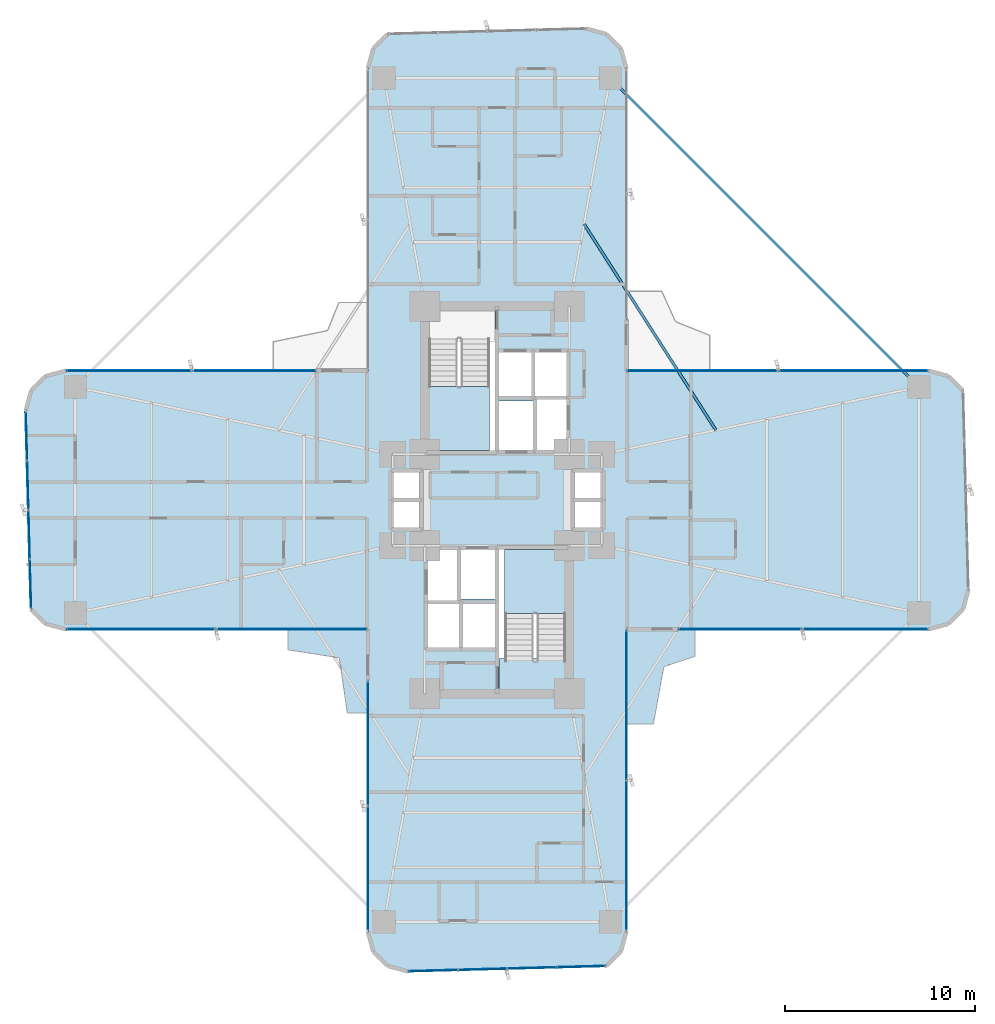
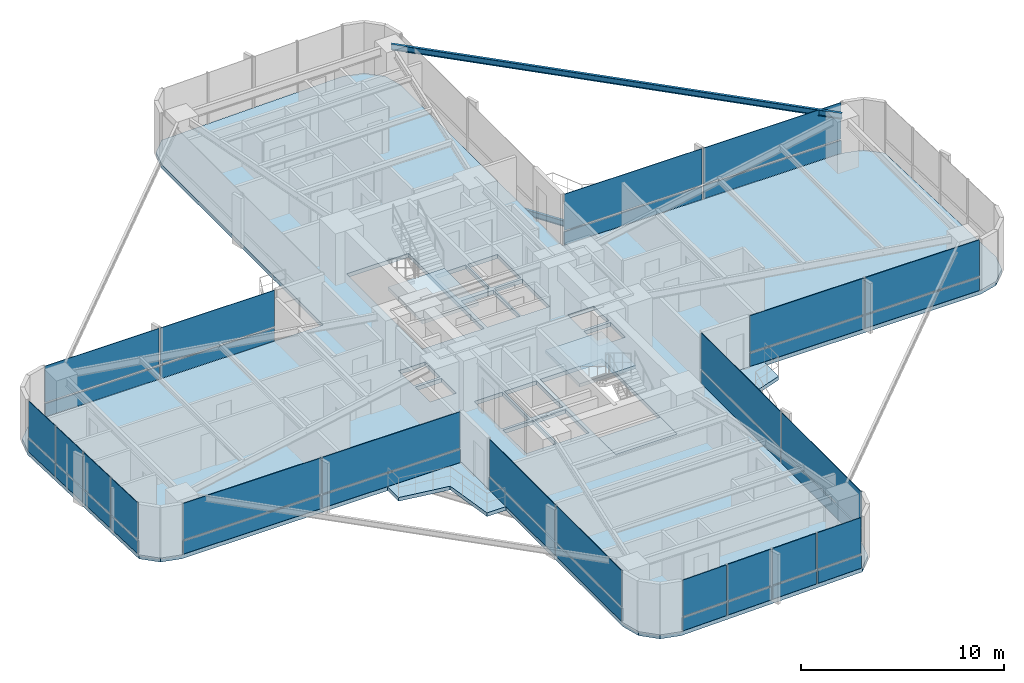
# One storey, part 20 of 25: 40 plates, 6 slabs, 2 beams, 10 elements without a shape of their own.
"""IFC4 building model written with IfcOpenShell, lengths in metres."""

from ifc_helpers import new_model, si_unit, direction, frame, origin, origin_2d, place, context, subcontext, project, spatial, polyline, rectangle, i_section, outline, extrude, source, transform, mapped, material, layer, layer_set, material_profile, profile_set, type_object, element, aggregate, save


model = new_model("IFC4")

# Units and contexts
model_context = context("Model", 3, precision=1e-05, world=origin(), true_north=direction((0.0, 1.0)))
body_context = subcontext(model_context, "Body", "Model", "MODEL_VIEW")
ifc_project = project(units=[si_unit("LENGTHUNIT", "METRE"), si_unit("AREAUNIT", "SQUARE_METRE"), si_unit("VOLUMEUNIT", "CUBIC_METRE"), si_unit("PLANEANGLEUNIT", "RADIAN"), si_unit("MASSUNIT", "GRAM", prefix="KILO")], contexts=[model_context])

# Site, building, storey
site_placement = place(None, origin())
site = spatial("IfcSite", under=ifc_project, at=site_placement, CompositionType="ELEMENT")
building_placement = place(site_placement, origin())
building = spatial("IfcBuilding", under=site, at=building_placement, Name="Sahyath Konkavel Grand Hotel", CompositionType="ELEMENT")
storey_placement = place(building_placement, frame((0.0, 0.0, 54.39990234375)))
storey = spatial("IfcBuildingStorey", under=building, at=storey_placement, Name="L14", CompositionType="ELEMENT", Elevation=54.39990234375)

# Beams
ifc_material_1 = material(Name="Steel E350", Category="steel")
ifc_material_profile_1 = material_profile(ifc_material_1, i_section(OverallWidth=0.139892578125, OverallDepth=0.35009765625, WebThickness=0.008056640625, FlangeThickness=0.01416015625, FilletRadius=0.013916015625, at=origin_2d()), Name="ISMB 350")
ifc_profile_set_1 = profile_set([ifc_material_profile_1], Name="Steel E350")
beam_type_1 = type_object("IfcBeamType", Name="BM-ISMB350", PredefinedType="BEAM", material=ifc_profile_set_1)
shared_shape_1 = source(origin(), body_context, "Body", "SweptSolid", [
    extrude(i_section(OverallWidth=0.139892578125, OverallDepth=0.35009765625, WebThickness=0.008056640625, FlangeThickness=0.01416015625, FilletRadius=0.013916015625, at=origin_2d()), origin(), (0.0, 0.0, 1.0), 22.98095703125),
])
beam_1_placement = place(storey_placement, frame((22.199951171875, 5.949951171875, 2.93505859375), z_axis=(-0.707106781187, 0.707106781187, 0.0), x_axis=(-0.707106781187, -0.707106781187, 0.0)))
element("IfcBeam", 1, at=beam_1_placement, inside=storey, type_object=beam_type_1, Name="L14 Re-Entrant Tie Beam NE", PredefinedType="BEAM", context=body_context, shape_type="MappedRepresentation", body=[
    mapped(shared_shape_1, transform((0.0, 0.0, 0.0), scale=1.0)),
])
ifc_material_profile_2 = material_profile(ifc_material_1, i_section(OverallWidth=0.139892578125, OverallDepth=0.35009765625, WebThickness=0.008056640625, FlangeThickness=0.01416015625, FilletRadius=0.013916015625, at=origin_2d()), Name="ISMB 350")
ifc_profile_set_2 = profile_set([ifc_material_profile_2], Name="Steel E350")
beam_type_2 = type_object("IfcBeamType", Name="BM-BALC-CANT", PredefinedType="BEAM", material=ifc_profile_set_2)
shared_shape_2 = source(origin(), body_context, "Body", "SweptSolid", [
    extrude(i_section(OverallWidth=0.139892578125, OverallDepth=0.35009765625, WebThickness=0.008056640625, FlangeThickness=0.01416015625, FilletRadius=0.013916015625, at=origin_2d()), origin(), (0.0, 0.0, 1.0), 12.871826171875),
])
beam_2_placement = place(storey_placement, frame((11.511962890625, 3.677978515625, -0.414794921875), z_axis=(-0.539003102535, 0.842303778608, 0.0), x_axis=(-0.842303778608, -0.539003102535, 0.0)))
element("IfcBeam", 2, at=beam_2_placement, inside=storey, type_object=beam_type_2, Name="L14 Balcony Cantilever Support Beam NE", PredefinedType="BEAM", context=body_context, shape_type="MappedRepresentation", body=[
    mapped(shared_shape_2, transform((0.0, 0.0, 0.0), scale=1.0)),
])

# Slabs
ifc_material_2 = material(Name="Concrete C40/50", Category="concrete")
ifc_layer_1 = layer(ifc_material_2, 0.239990234375)
ifc_layer_set_1 = layer_set([ifc_layer_1], Name="Concrete C40/50")
slab_type_1 = type_object("IfcSlabType", Name="SLB-240", PredefinedType="FLOOR", material=ifc_layer_set_1)
slab_1_placement = place(storey_placement, frame((0.0, 0.0, -0.239990234375)))
element("IfcSlab", 3, at=slab_1_placement, inside=storey, type_object=slab_type_1, Name="L14 Structural Floor Slab", PredefinedType="FLOOR", context=body_context, shape_type="SweptSolid", body=[
    extrude(outline(polyline([(6.800048828125, -6.800048828125), (22.699951171875, -6.800048828125), (23.75, -6.518798828125), (24.518798828125, -5.75), (24.800048828125, -4.699951171875), (24.518798828125, 5.75), (23.75, 6.518798828125), (22.699951171875, 6.800048828125), (6.800048828125, 6.800048828125), (6.800048828125, 22.699951171875), (6.518798828125, 23.75), (5.75, 24.518798828125), (4.699951171875, 24.800048828125), (-5.75, 24.518798828125), (-6.518798828125, 23.75), (-6.800048828125, 22.699951171875), (-6.800048828125, 6.800048828125), (-22.699951171875, 6.800048828125), (-23.75, 6.518798828125), (-24.518798828125, 5.75), (-24.800048828125, 4.699951171875), (-24.518798828125, -5.75), (-23.75, -6.518798828125), (-22.699951171875, -6.800048828125), (-6.800048828125, -6.800048828125), (-6.800048828125, -22.699951171875), (-6.518798828125, -23.75), (-5.75, -24.518798828125), (-4.699951171875, -24.800048828125), (5.75, -24.518798828125), (6.518798828125, -23.75), (6.800048828125, -22.699951171875), (6.800048828125, -6.800048828125)]), holes=[polyline([(-3.6201171875, 2.580078125), (-0.10009765625, 2.580078125), (-0.10009765625, 10.02001953125), (-3.6201171875, 10.02001953125), (-3.6201171875, 2.580078125)]), polyline([(0.10009765625, -10.02001953125), (3.6201171875, -10.02001953125), (3.6201171875, -2.580078125), (0.10009765625, -2.580078125), (0.10009765625, -10.02001953125)]), polyline([(0.10009765625, 2.60009765625), (1.949951171875, 2.60009765625), (1.949951171875, 5.199951171875), (0.10009765625, 5.199951171875), (0.10009765625, 2.60009765625)]), polyline([(-1.949951171875, -5.199951171875), (-0.10009765625, -5.199951171875), (-0.10009765625, -2.60009765625), (-1.949951171875, -2.60009765625), (-1.949951171875, -5.199951171875)]), polyline([(2.050048828125, 2.60009765625), (3.64990234375, 2.60009765625), (3.64990234375, 5.300048828125), (2.050048828125, 5.300048828125), (2.050048828125, 2.60009765625)]), polyline([(-3.64990234375, -5.300048828125), (-2.050048828125, -5.300048828125), (-2.050048828125, -2.60009765625), (-3.64990234375, -2.60009765625), (-3.64990234375, -5.300048828125)]), polyline([(0.10009765625, 5.449951171875), (1.85009765625, 5.449951171875), (1.85009765625, 7.75), (0.10009765625, 7.75), (0.10009765625, 5.449951171875)]), polyline([(1.949951171875, 5.449951171875), (3.64990234375, 5.449951171875), (3.64990234375, 7.75), (1.949951171875, 7.75), (1.949951171875, 5.449951171875)]), polyline([(-3.64990234375, -7.75), (-1.949951171875, -7.75), (-1.949951171875, -5.449951171875), (-3.64990234375, -5.449951171875), (-3.64990234375, -7.75)]), polyline([(-1.85009765625, -7.75), (-0.10009765625, -7.75), (-0.10009765625, -5.449951171875), (-1.85009765625, -5.449951171875), (-1.85009765625, -7.75)]), polyline([(4.050048828125, 0.080078125), (5.550048828125, 0.080078125), (5.550048828125, 1.5400390625), (4.050048828125, 1.5400390625), (4.050048828125, 0.080078125)]), polyline([(4.050048828125, -1.5400390625), (5.550048828125, -1.5400390625), (5.550048828125, -0.080078125), (4.050048828125, -0.080078125), (4.050048828125, -1.5400390625)]), polyline([(-5.550048828125, 0.080078125), (-4.050048828125, 0.080078125), (-4.050048828125, 1.5400390625), (-5.550048828125, 1.5400390625), (-5.550048828125, 0.080078125)]), polyline([(-5.550048828125, -1.5400390625), (-4.050048828125, -1.5400390625), (-4.050048828125, -0.080078125), (-5.550048828125, -0.080078125), (-5.550048828125, -1.5400390625)])]), origin(), (0.0, 0.0, 1.0), 0.239990234375),
])
ifc_layer_2 = layer(ifc_material_2, 0.219970703125)
ifc_layer_set_2 = layer_set([ifc_layer_2], Name="Concrete C40/50")
slab_type_2 = type_object("IfcSlabType", Name="SLB-BALCONY-220", PredefinedType="FLOOR", material=ifc_layer_set_2)
slab_2_placement = place(storey_placement, frame((0.0, 0.0, -0.219970703125)))
element("IfcSlab", 4, at=slab_2_placement, inside=storey, type_object=slab_type_2, Name="L14 Winter-Garden Balcony SW", PredefinedType="FLOOR", context=body_context, shape_type="SweptSolid", body=[
    extrude(outline(polyline([(-6.800048828125, -6.800048828125), (-11.0009765625, -6.800048828125), (-11.0009765625, -7.883544921875), (-8.304931640625, -8.304931640625), (-7.883544921875, -11.198974609375), (-6.800048828125, -11.198974609375), (-6.800048828125, -6.800048828125)])), origin(), (0.0, 0.0, 1.0), 0.219970703125),
])
slab_3_placement = place(storey_placement, frame((0.0, 0.0, -0.219970703125)))
element("IfcSlab", 5, at=slab_3_placement, inside=storey, type_object=slab_type_2, Name="L14 Winter-Garden Balcony SE", PredefinedType="FLOOR", context=body_context, shape_type="SweptSolid", body=[
    extrude(outline(polyline([(6.800048828125, -6.800048828125), (6.800048828125, -11.79296875), (8.220703125, -11.79296875), (8.77294921875, -8.77294921875), (10.406982421875, -8.220703125), (10.406982421875, -6.800048828125), (6.800048828125, -6.800048828125)])), origin(), (0.0, 0.0, 1.0), 0.219970703125),
])

# Stair, slab
stair_type = type_object("IfcStairType", Name="STR-ST16-335", PredefinedType="HALF_TURN_STAIR", material=ifc_material_2)
stair_1_placement = place(storey_placement, origin())
stair_1 = element("IfcStair", 6, at=stair_1_placement, inside=storey, type_object=stair_type, Name="L14 North Core Smokeproof Exit Stair ST-1", PredefinedType="HALF_TURN_STAIR")
ifc_layer_3 = layer(ifc_material_2, 0.199951171875)
ifc_layer_set_3 = layer_set([ifc_layer_3], Name="Concrete C40/50")
slab_type_3 = type_object("IfcSlabType", Name="SLB-STAIR-LND", PredefinedType="LANDING", material=ifc_layer_set_3)
slab_4_placement = place(storey_placement, frame((0.0, 0.0, 1.47509765625)))
slab_4 = element("IfcSlab", 7, at=slab_4_placement, type_object=slab_type_3, Name="ST-1 landing 1", PredefinedType="LANDING", context=body_context, shape_type="SweptSolid", body=[
    extrude(outline(polyline([(-3.60009765625, 5.9599609375), (-3.60009765625, 2.60009765625), (-0.39990234375, 2.60009765625), (-0.39990234375, 5.9599609375), (-3.60009765625, 5.9599609375)])), origin(), (0.0, 0.0, 1.0), 0.199951171875),
])
aggregate(stair_1, [slab_4])

stair_2_placement = place(storey_placement, origin())
stair_2 = element("IfcStair", 8, at=stair_2_placement, inside=storey, type_object=stair_type, Name="L14 South Core Smokeproof Exit Stair ST-2", PredefinedType="HALF_TURN_STAIR")
slab_5_placement = place(storey_placement, frame((0.0, 0.0, 1.47509765625)))
slab_5 = element("IfcSlab", 9, at=slab_5_placement, type_object=slab_type_3, Name="ST-2 landing 1", PredefinedType="LANDING", context=body_context, shape_type="SweptSolid", body=[
    extrude(outline(polyline([(3.60009765625, -5.9599609375), (3.60009765625, -2.60009765625), (0.39990234375, -2.60009765625), (0.39990234375, -5.9599609375), (3.60009765625, -5.9599609375)])), origin(), (0.0, 0.0, 1.0), 0.199951171875),
])
aggregate(stair_2, [slab_5])

# Slab
slab_6_placement = place(storey_placement, frame((0.0, 0.0, -0.199951171875)))
element("IfcSlab", 10, at=slab_6_placement, inside=storey, type_object=slab_type_3, Name="L14 Stair ST-2 Floor Landing Slab", PredefinedType="LANDING", context=body_context, shape_type="SweptSolid", body=[
    extrude(outline(polyline([(0.10009765625, -10.02001953125), (3.6201171875, -10.02001953125), (3.6201171875, -8.35009765625), (0.10009765625, -8.35009765625), (0.10009765625, -10.02001953125)])), origin(), (0.0, 0.0, 1.0), 0.199951171875),
])

# Curtain wall, plates
ifc_material_3 = material(Name="Anodised Bronze Aluminium & Low-E Glazing", Category="aluminium")
curtain_wall_type = type_object("IfcCurtainWallType", Name="CW-ZONE1", PredefinedType="NOTDEFINED", material=ifc_material_3)
curtain_wall_1_placement = place(storey_placement, origin())
curtain_wall_1 = element("IfcCurtainWall", 11, at=curtain_wall_1_placement, inside=storey, type_object=curtain_wall_type, Name="L14 Unitised Curtain Wall F7", PredefinedType="NOTDEFINED")
ifc_material_4 = material(Name="Warm Buff Sandstone Cladding", Category="masonry")
ifc_layer_4 = layer(ifc_material_4, 0.074951171875)
ifc_layer_set_4 = layer_set([ifc_layer_4], Name="Warm Buff Sandstone Cladding")
plate_type_1 = type_object("IfcPlateType", Name="PNL-SPANDREL-STONE", PredefinedType="SHEET", material=ifc_layer_set_4)
shared_shape_3 = source(origin(), body_context, "Body", "SweptSolid", [
    extrude(rectangle(XDim=7.830078125, YDim=0.074951171875, at=origin_2d()), origin(), (0.0, 0.0, 1.0), 0.77001953125),
])
plate_1_placement = place(storey_placement, frame((18.705078125, 6.800048828125, 0.0400390625), z_axis=(0.0, 0.0, 1.0), x_axis=(-1.0, 0.0, 0.0)))
plate_1 = element("IfcPlate", 12, at=plate_1_placement, type_object=plate_type_1, Name="L14 Sandstone Relief Spandrel Panel F7-0", PredefinedType="SHEET", context=body_context, shape_type="MappedRepresentation", body=[
    mapped(shared_shape_3, transform((0.0, 0.0, 0.0), scale=1.0)),
])
plate_2_placement = place(storey_placement, frame((10.794921875, 6.800048828125, 0.0400390625), z_axis=(0.0, 0.0, 1.0), x_axis=(-1.0, 0.0, 0.0)))
plate_2 = element("IfcPlate", 13, at=plate_2_placement, type_object=plate_type_1, Name="L14 Sandstone Relief Spandrel Panel F7-1", PredefinedType="SHEET", context=body_context, shape_type="MappedRepresentation", body=[
    mapped(shared_shape_3, transform((0.0, 0.0, 0.0), scale=1.0)),
])

curtain_wall_2_placement = place(storey_placement, origin())
curtain_wall_2 = element("IfcCurtainWall", 14, at=curtain_wall_2_placement, inside=storey, type_object=curtain_wall_type, Name="L14 Unitised Curtain Wall F23", PredefinedType="NOTDEFINED")
plate_3_placement = place(storey_placement, frame((-18.705078125, -6.800048828125, 0.0400390625), z_axis=(0.0, 0.0, 1.0), x_axis=(1.0, 0.0, 0.0)))
plate_3 = element("IfcPlate", 15, at=plate_3_placement, type_object=plate_type_1, Name="L14 Sandstone Relief Spandrel Panel F23-0", PredefinedType="SHEET", context=body_context, shape_type="MappedRepresentation", body=[
    mapped(shared_shape_3, transform((0.0, 0.0, 0.0), scale=1.0)),
])
plate_4_placement = place(storey_placement, frame((-10.794921875, -6.800048828125, 0.0400390625), z_axis=(0.0, 0.0, 1.0), x_axis=(1.0, 0.0, 0.0)))
plate_4 = element("IfcPlate", 16, at=plate_4_placement, type_object=plate_type_1, Name="L14 Sandstone Relief Spandrel Panel F23-1", PredefinedType="SHEET", context=body_context, shape_type="MappedRepresentation", body=[
    mapped(shared_shape_3, transform((0.0, 0.0, 0.0), scale=1.0)),
])

curtain_wall_3_placement = place(storey_placement, origin())
curtain_wall_3 = element("IfcCurtainWall", 17, at=curtain_wall_3_placement, inside=storey, type_object=curtain_wall_type, Name="L14 Unitised Curtain Wall F31", PredefinedType="NOTDEFINED")
plate_5_placement = place(storey_placement, frame((6.800048828125, -18.705078125, 0.0400390625), z_axis=(0.0, 0.0, 1.0), x_axis=(0.0, 1.0, 0.0)))
plate_5 = element("IfcPlate", 18, at=plate_5_placement, type_object=plate_type_1, Name="L14 Sandstone Relief Spandrel Panel F31-0", PredefinedType="SHEET", context=body_context, shape_type="MappedRepresentation", body=[
    mapped(shared_shape_3, transform((0.0, 0.0, 0.0), scale=1.0)),
])
plate_6_placement = place(storey_placement, frame((6.800048828125, -10.794921875, 0.0400390625), z_axis=(0.0, 0.0, 1.0), x_axis=(0.0, 1.0, 0.0)))
plate_6 = element("IfcPlate", 19, at=plate_6_placement, type_object=plate_type_1, Name="L14 Sandstone Relief Spandrel Panel F31-1", PredefinedType="SHEET", context=body_context, shape_type="MappedRepresentation", body=[
    mapped(shared_shape_3, transform((0.0, 0.0, 0.0), scale=1.0)),
])

# Plate
ifc_material_5 = material(Name="Low-E Solar Control Double Glazing", Category="glass")
ifc_layer_5 = layer(ifc_material_5, 0.035888671875)
ifc_layer_set_5 = layer_set([ifc_layer_5], Name="Low-E Solar Control Double Glazing")
plate_type_2 = type_object("IfcPlateType", Name="PNL-VISION-LOWE", PredefinedType="CURTAIN_PANEL", material=ifc_layer_set_5)
shared_shape_4 = source(origin(), body_context, "Body", "SweptSolid", [
    extrude(rectangle(XDim=7.830078125, YDim=0.035888671875, at=origin_2d()), origin(), (0.0, 0.0, 1.0), 2.179931640625),
])
plate_7_placement = place(storey_placement, frame((18.705078125, 6.800048828125, 0.89013671875), z_axis=(0.0, 0.0, 1.0), x_axis=(-1.0, 0.0, 0.0)))
plate_7 = element("IfcPlate", 20, at=plate_7_placement, type_object=plate_type_2, Name="L14 Low-E Vision Glazing Panel F7-0", PredefinedType="CURTAIN_PANEL", context=body_context, shape_type="MappedRepresentation", body=[
    mapped(shared_shape_4, transform((0.0, 0.0, 0.0), scale=1.0)),
])

plate_8_placement = place(storey_placement, frame((10.794921875, 6.800048828125, 0.89013671875), z_axis=(0.0, 0.0, 1.0), x_axis=(-1.0, 0.0, 0.0)))
plate_8 = element("IfcPlate", 21, at=plate_8_placement, type_object=plate_type_2, Name="L14 Low-E Vision Glazing Panel F7-1", PredefinedType="CURTAIN_PANEL", context=body_context, shape_type="MappedRepresentation", body=[
    mapped(shared_shape_4, transform((0.0, 0.0, 0.0), scale=1.0)),
])

aggregate(curtain_wall_1, [plate_1, plate_7, plate_2, plate_8])

plate_9_placement = place(storey_placement, frame((-18.705078125, -6.800048828125, 0.89013671875), z_axis=(0.0, 0.0, 1.0), x_axis=(1.0, 0.0, 0.0)))
plate_9 = element("IfcPlate", 22, at=plate_9_placement, type_object=plate_type_2, Name="L14 Low-E Vision Glazing Panel F23-0", PredefinedType="CURTAIN_PANEL", context=body_context, shape_type="MappedRepresentation", body=[
    mapped(shared_shape_4, transform((0.0, 0.0, 0.0), scale=1.0)),
])

plate_10_placement = place(storey_placement, frame((-10.794921875, -6.800048828125, 0.89013671875), z_axis=(0.0, 0.0, 1.0), x_axis=(1.0, 0.0, 0.0)))
plate_10 = element("IfcPlate", 23, at=plate_10_placement, type_object=plate_type_2, Name="L14 Low-E Vision Glazing Panel F23-1", PredefinedType="CURTAIN_PANEL", context=body_context, shape_type="MappedRepresentation", body=[
    mapped(shared_shape_4, transform((0.0, 0.0, 0.0), scale=1.0)),
])

aggregate(curtain_wall_2, [plate_3, plate_9, plate_4, plate_10])

plate_11_placement = place(storey_placement, frame((6.800048828125, -18.705078125, 0.89013671875), z_axis=(0.0, 0.0, 1.0), x_axis=(0.0, 1.0, 0.0)))
plate_11 = element("IfcPlate", 24, at=plate_11_placement, type_object=plate_type_2, Name="L14 Low-E Vision Glazing Panel F31-0", PredefinedType="CURTAIN_PANEL", context=body_context, shape_type="MappedRepresentation", body=[
    mapped(shared_shape_4, transform((0.0, 0.0, 0.0), scale=1.0)),
])

plate_12_placement = place(storey_placement, frame((6.800048828125, -10.794921875, 0.89013671875), z_axis=(0.0, 0.0, 1.0), x_axis=(0.0, 1.0, 0.0)))
plate_12 = element("IfcPlate", 25, at=plate_12_placement, type_object=plate_type_2, Name="L14 Low-E Vision Glazing Panel F31-1", PredefinedType="CURTAIN_PANEL", context=body_context, shape_type="MappedRepresentation", body=[
    mapped(shared_shape_4, transform((0.0, 0.0, 0.0), scale=1.0)),
])

aggregate(curtain_wall_3, [plate_5, plate_11, plate_6, plate_12])

# Curtain wall, plates
curtain_wall_4_placement = place(storey_placement, origin())
curtain_wall_4 = element("IfcCurtainWall", 26, at=curtain_wall_4_placement, inside=storey, type_object=curtain_wall_type, Name="L14 Unitised Curtain Wall F20", PredefinedType="NOTDEFINED")
shared_shape_5 = source(origin(), body_context, "Body", "SweptSolid", [
    extrude(rectangle(XDim=2.513427734375, YDim=0.074951171875, at=origin_2d()), origin(), (0.0, 0.0, 1.0), 0.77001953125),
])
plate_13_placement = place(storey_placement, frame((-24.763916015625, 3.36376953125, 0.0400390625), z_axis=(0.0, 0.0, 1.0), x_axis=(0.026909728301, -0.999637867691, 0.0)))
plate_13 = element("IfcPlate", 27, at=plate_13_placement, type_object=plate_type_1, Name="L14 Sandstone Relief Spandrel Panel F20-0", PredefinedType="SHEET", context=body_context, shape_type="MappedRepresentation", body=[
    mapped(shared_shape_5, transform((0.0, 0.0, 0.0), scale=1.0)),
])
plate_14_placement = place(storey_placement, frame((-24.694091796875, 0.771240234375, 0.0400390625), z_axis=(0.0, 0.0, 1.0), x_axis=(0.026909728301, -0.999637867691, 0.0)))
plate_14 = element("IfcPlate", 28, at=plate_14_placement, type_object=plate_type_1, Name="L14 Sandstone Relief Spandrel Panel F20-1", PredefinedType="SHEET", context=body_context, shape_type="MappedRepresentation", body=[
    mapped(shared_shape_5, transform((0.0, 0.0, 0.0), scale=1.0)),
])
plate_15_placement = place(storey_placement, frame((-24.62451171875, -1.8212890625, 0.0400390625), z_axis=(0.0, 0.0, 1.0), x_axis=(0.026909728301, -0.999637867691, 0.0)))
plate_15 = element("IfcPlate", 29, at=plate_15_placement, type_object=plate_type_1, Name="L14 Sandstone Relief Spandrel Panel F20-2", PredefinedType="SHEET", context=body_context, shape_type="MappedRepresentation", body=[
    mapped(shared_shape_5, transform((0.0, 0.0, 0.0), scale=1.0)),
])
plate_16_placement = place(storey_placement, frame((-24.5546875, -4.413818359375, 0.0400390625), z_axis=(0.0, 0.0, 1.0), x_axis=(0.026909728301, -0.999637867691, 0.0)))
plate_16 = element("IfcPlate", 30, at=plate_16_placement, type_object=plate_type_1, Name="L14 Sandstone Relief Spandrel Panel F20-3", PredefinedType="SHEET", context=body_context, shape_type="MappedRepresentation", body=[
    mapped(shared_shape_5, transform((0.0, 0.0, 0.0), scale=1.0)),
])

curtain_wall_5_placement = place(storey_placement, origin())
curtain_wall_5 = element("IfcCurtainWall", 31, at=curtain_wall_5_placement, inside=storey, type_object=curtain_wall_type, Name="L14 Unitised Curtain Wall F28", PredefinedType="NOTDEFINED")
plate_17_placement = place(storey_placement, frame((-3.36376953125, -24.763916015625, 0.0400390625), z_axis=(0.0, 0.0, 1.0), x_axis=(0.999637867691, 0.026909728301, 0.0)))
plate_17 = element("IfcPlate", 32, at=plate_17_placement, type_object=plate_type_1, Name="L14 Sandstone Relief Spandrel Panel F28-0", PredefinedType="SHEET", context=body_context, shape_type="MappedRepresentation", body=[
    mapped(shared_shape_5, transform((0.0, 0.0, 0.0), scale=1.0)),
])
plate_18_placement = place(storey_placement, frame((-0.771240234375, -24.694091796875, 0.0400390625), z_axis=(0.0, 0.0, 1.0), x_axis=(0.999637867691, 0.026909728301, 0.0)))
plate_18 = element("IfcPlate", 33, at=plate_18_placement, type_object=plate_type_1, Name="L14 Sandstone Relief Spandrel Panel F28-1", PredefinedType="SHEET", context=body_context, shape_type="MappedRepresentation", body=[
    mapped(shared_shape_5, transform((0.0, 0.0, 0.0), scale=1.0)),
])
plate_19_placement = place(storey_placement, frame((1.8212890625, -24.62451171875, 0.0400390625), z_axis=(0.0, 0.0, 1.0), x_axis=(0.999637867691, 0.026909728301, 0.0)))
plate_19 = element("IfcPlate", 34, at=plate_19_placement, type_object=plate_type_1, Name="L14 Sandstone Relief Spandrel Panel F28-2", PredefinedType="SHEET", context=body_context, shape_type="MappedRepresentation", body=[
    mapped(shared_shape_5, transform((0.0, 0.0, 0.0), scale=1.0)),
])
plate_20_placement = place(storey_placement, frame((4.413818359375, -24.5546875, 0.0400390625), z_axis=(0.0, 0.0, 1.0), x_axis=(0.999637867691, 0.026909728301, 0.0)))
plate_20 = element("IfcPlate", 35, at=plate_20_placement, type_object=plate_type_1, Name="L14 Sandstone Relief Spandrel Panel F28-3", PredefinedType="SHEET", context=body_context, shape_type="MappedRepresentation", body=[
    mapped(shared_shape_5, transform((0.0, 0.0, 0.0), scale=1.0)),
])

# Plate
shared_shape_6 = source(origin(), body_context, "Body", "SweptSolid", [
    extrude(rectangle(XDim=2.513427734375, YDim=0.035888671875, at=origin_2d()), origin(), (0.0, 0.0, 1.0), 2.179931640625),
])
plate_21_placement = place(storey_placement, frame((-24.763916015625, 3.36376953125, 0.89013671875), z_axis=(0.0, 0.0, 1.0), x_axis=(0.026909728301, -0.999637867691, 0.0)))
plate_21 = element("IfcPlate", 36, at=plate_21_placement, type_object=plate_type_2, Name="L14 Low-E Vision Glazing Panel F20-0", PredefinedType="CURTAIN_PANEL", context=body_context, shape_type="MappedRepresentation", body=[
    mapped(shared_shape_6, transform((0.0, 0.0, 0.0), scale=1.0)),
])

plate_22_placement = place(storey_placement, frame((-24.694091796875, 0.771240234375, 0.89013671875), z_axis=(0.0, 0.0, 1.0), x_axis=(0.026909728301, -0.999637867691, 0.0)))
plate_22 = element("IfcPlate", 37, at=plate_22_placement, type_object=plate_type_2, Name="L14 Low-E Vision Glazing Panel F20-1", PredefinedType="CURTAIN_PANEL", context=body_context, shape_type="MappedRepresentation", body=[
    mapped(shared_shape_6, transform((0.0, 0.0, 0.0), scale=1.0)),
])

plate_23_placement = place(storey_placement, frame((-24.62451171875, -1.8212890625, 0.89013671875), z_axis=(0.0, 0.0, 1.0), x_axis=(0.026909728301, -0.999637867691, 0.0)))
plate_23 = element("IfcPlate", 38, at=plate_23_placement, type_object=plate_type_2, Name="L14 Low-E Vision Glazing Panel F20-2", PredefinedType="CURTAIN_PANEL", context=body_context, shape_type="MappedRepresentation", body=[
    mapped(shared_shape_6, transform((0.0, 0.0, 0.0), scale=1.0)),
])

plate_24_placement = place(storey_placement, frame((-24.5546875, -4.413818359375, 0.89013671875), z_axis=(0.0, 0.0, 1.0), x_axis=(0.026909728301, -0.999637867691, 0.0)))
plate_24 = element("IfcPlate", 39, at=plate_24_placement, type_object=plate_type_2, Name="L14 Low-E Vision Glazing Panel F20-3", PredefinedType="CURTAIN_PANEL", context=body_context, shape_type="MappedRepresentation", body=[
    mapped(shared_shape_6, transform((0.0, 0.0, 0.0), scale=1.0)),
])

aggregate(curtain_wall_4, [plate_13, plate_21, plate_14, plate_22, plate_15, plate_23, plate_16, plate_24])

plate_25_placement = place(storey_placement, frame((-3.36376953125, -24.763916015625, 0.89013671875), z_axis=(0.0, 0.0, 1.0), x_axis=(0.999637867691, 0.026909728301, 0.0)))
plate_25 = element("IfcPlate", 40, at=plate_25_placement, type_object=plate_type_2, Name="L14 Low-E Vision Glazing Panel F28-0", PredefinedType="CURTAIN_PANEL", context=body_context, shape_type="MappedRepresentation", body=[
    mapped(shared_shape_6, transform((0.0, 0.0, 0.0), scale=1.0)),
])

plate_26_placement = place(storey_placement, frame((-0.771240234375, -24.694091796875, 0.89013671875), z_axis=(0.0, 0.0, 1.0), x_axis=(0.999637867691, 0.026909728301, 0.0)))
plate_26 = element("IfcPlate", 41, at=plate_26_placement, type_object=plate_type_2, Name="L14 Low-E Vision Glazing Panel F28-1", PredefinedType="CURTAIN_PANEL", context=body_context, shape_type="MappedRepresentation", body=[
    mapped(shared_shape_6, transform((0.0, 0.0, 0.0), scale=1.0)),
])

plate_27_placement = place(storey_placement, frame((1.8212890625, -24.62451171875, 0.89013671875), z_axis=(0.0, 0.0, 1.0), x_axis=(0.999637867691, 0.026909728301, 0.0)))
plate_27 = element("IfcPlate", 42, at=plate_27_placement, type_object=plate_type_2, Name="L14 Low-E Vision Glazing Panel F28-2", PredefinedType="CURTAIN_PANEL", context=body_context, shape_type="MappedRepresentation", body=[
    mapped(shared_shape_6, transform((0.0, 0.0, 0.0), scale=1.0)),
])

plate_28_placement = place(storey_placement, frame((4.413818359375, -24.5546875, 0.89013671875), z_axis=(0.0, 0.0, 1.0), x_axis=(0.999637867691, 0.026909728301, 0.0)))
plate_28 = element("IfcPlate", 43, at=plate_28_placement, type_object=plate_type_2, Name="L14 Low-E Vision Glazing Panel F28-3", PredefinedType="CURTAIN_PANEL", context=body_context, shape_type="MappedRepresentation", body=[
    mapped(shared_shape_6, transform((0.0, 0.0, 0.0), scale=1.0)),
])

aggregate(curtain_wall_5, [plate_17, plate_25, plate_18, plate_26, plate_19, plate_27, plate_20, plate_28])

# Curtain wall, plates
curtain_wall_6_placement = place(storey_placement, origin())
curtain_wall_6 = element("IfcCurtainWall", 44, at=curtain_wall_6_placement, inside=storey, type_object=curtain_wall_type, Name="L14 Unitised Curtain Wall F0", PredefinedType="NOTDEFINED")
shared_shape_7 = source(origin(), body_context, "Body", "SweptSolid", [
    extrude(rectangle(XDim=6.47998046875, YDim=0.074951171875, at=origin_2d()), origin(), (0.0, 0.0, 1.0), 0.77001953125),
])
plate_29_placement = place(storey_placement, frame((12.820068359375, -6.800048828125, 0.0400390625), z_axis=(0.0, 0.0, 1.0), x_axis=(1.0, 0.0, 0.0)))
plate_29 = element("IfcPlate", 45, at=plate_29_placement, type_object=plate_type_1, Name="L14 Sandstone Relief Spandrel Panel F0-0", PredefinedType="SHEET", context=body_context, shape_type="MappedRepresentation", body=[
    mapped(shared_shape_7, transform((0.0, 0.0, 0.0), scale=1.0)),
])
plate_30_placement = place(storey_placement, frame((19.3798828125, -6.800048828125, 0.0400390625), z_axis=(0.0, 0.0, 1.0), x_axis=(1.0, 0.0, 0.0)))
plate_30 = element("IfcPlate", 46, at=plate_30_placement, type_object=plate_type_1, Name="L14 Sandstone Relief Spandrel Panel F0-1", PredefinedType="SHEET", context=body_context, shape_type="MappedRepresentation", body=[
    mapped(shared_shape_7, transform((0.0, 0.0, 0.0), scale=1.0)),
])

curtain_wall_7_placement = place(storey_placement, origin())
curtain_wall_7 = element("IfcCurtainWall", 47, at=curtain_wall_7_placement, inside=storey, type_object=curtain_wall_type, Name="L14 Unitised Curtain Wall F16", PredefinedType="NOTDEFINED")
plate_31_placement = place(storey_placement, frame((-12.820068359375, 6.800048828125, 0.0400390625), z_axis=(0.0, 0.0, 1.0), x_axis=(-1.0, 0.0, 0.0)))
plate_31 = element("IfcPlate", 48, at=plate_31_placement, type_object=plate_type_1, Name="L14 Sandstone Relief Spandrel Panel F16-0", PredefinedType="SHEET", context=body_context, shape_type="MappedRepresentation", body=[
    mapped(shared_shape_7, transform((0.0, 0.0, 0.0), scale=1.0)),
])
plate_32_placement = place(storey_placement, frame((-19.3798828125, 6.800048828125, 0.0400390625), z_axis=(0.0, 0.0, 1.0), x_axis=(-1.0, 0.0, 0.0)))
plate_32 = element("IfcPlate", 49, at=plate_32_placement, type_object=plate_type_1, Name="L14 Sandstone Relief Spandrel Panel F16-1", PredefinedType="SHEET", context=body_context, shape_type="MappedRepresentation", body=[
    mapped(shared_shape_7, transform((0.0, 0.0, 0.0), scale=1.0)),
])

curtain_wall_8_placement = place(storey_placement, origin())
curtain_wall_8 = element("IfcCurtainWall", 50, at=curtain_wall_8_placement, inside=storey, type_object=curtain_wall_type, Name="L14 Unitised Curtain Wall F24", PredefinedType="NOTDEFINED")
plate_33_placement = place(storey_placement, frame((-6.800048828125, -12.820068359375, 0.0400390625), z_axis=(0.0, 0.0, 1.0), x_axis=(0.0, -1.0, 0.0)))
plate_33 = element("IfcPlate", 51, at=plate_33_placement, type_object=plate_type_1, Name="L14 Sandstone Relief Spandrel Panel F24-0", PredefinedType="SHEET", context=body_context, shape_type="MappedRepresentation", body=[
    mapped(shared_shape_7, transform((0.0, 0.0, 0.0), scale=1.0)),
])
plate_34_placement = place(storey_placement, frame((-6.800048828125, -19.3798828125, 0.0400390625), z_axis=(0.0, 0.0, 1.0), x_axis=(0.0, -1.0, 0.0)))
plate_34 = element("IfcPlate", 52, at=plate_34_placement, type_object=plate_type_1, Name="L14 Sandstone Relief Spandrel Panel F24-1", PredefinedType="SHEET", context=body_context, shape_type="MappedRepresentation", body=[
    mapped(shared_shape_7, transform((0.0, 0.0, 0.0), scale=1.0)),
])

# Plate
shared_shape_8 = source(origin(), body_context, "Body", "SweptSolid", [
    extrude(rectangle(XDim=6.47998046875, YDim=0.035888671875, at=origin_2d()), origin(), (0.0, 0.0, 1.0), 2.179931640625),
])
plate_35_placement = place(storey_placement, frame((12.820068359375, -6.800048828125, 0.89013671875), z_axis=(0.0, 0.0, 1.0), x_axis=(1.0, 0.0, 0.0)))
plate_35 = element("IfcPlate", 53, at=plate_35_placement, type_object=plate_type_2, Name="L14 Low-E Vision Glazing Panel F0-0", PredefinedType="CURTAIN_PANEL", context=body_context, shape_type="MappedRepresentation", body=[
    mapped(shared_shape_8, transform((0.0, 0.0, 0.0), scale=1.0)),
])

plate_36_placement = place(storey_placement, frame((19.3798828125, -6.800048828125, 0.89013671875), z_axis=(0.0, 0.0, 1.0), x_axis=(1.0, 0.0, 0.0)))
plate_36 = element("IfcPlate", 54, at=plate_36_placement, type_object=plate_type_2, Name="L14 Low-E Vision Glazing Panel F0-1", PredefinedType="CURTAIN_PANEL", context=body_context, shape_type="MappedRepresentation", body=[
    mapped(shared_shape_8, transform((0.0, 0.0, 0.0), scale=1.0)),
])

aggregate(curtain_wall_6, [plate_29, plate_35, plate_30, plate_36])

plate_37_placement = place(storey_placement, frame((-12.820068359375, 6.800048828125, 0.89013671875), z_axis=(0.0, 0.0, 1.0), x_axis=(-1.0, 0.0, 0.0)))
plate_37 = element("IfcPlate", 55, at=plate_37_placement, type_object=plate_type_2, Name="L14 Low-E Vision Glazing Panel F16-0", PredefinedType="CURTAIN_PANEL", context=body_context, shape_type="MappedRepresentation", body=[
    mapped(shared_shape_8, transform((0.0, 0.0, 0.0), scale=1.0)),
])

plate_38_placement = place(storey_placement, frame((-19.3798828125, 6.800048828125, 0.89013671875), z_axis=(0.0, 0.0, 1.0), x_axis=(-1.0, 0.0, 0.0)))
plate_38 = element("IfcPlate", 56, at=plate_38_placement, type_object=plate_type_2, Name="L14 Low-E Vision Glazing Panel F16-1", PredefinedType="CURTAIN_PANEL", context=body_context, shape_type="MappedRepresentation", body=[
    mapped(shared_shape_8, transform((0.0, 0.0, 0.0), scale=1.0)),
])

aggregate(curtain_wall_7, [plate_31, plate_37, plate_32, plate_38])

plate_39_placement = place(storey_placement, frame((-6.800048828125, -12.820068359375, 0.89013671875), z_axis=(0.0, 0.0, 1.0), x_axis=(0.0, -1.0, 0.0)))
plate_39 = element("IfcPlate", 57, at=plate_39_placement, type_object=plate_type_2, Name="L14 Low-E Vision Glazing Panel F24-0", PredefinedType="CURTAIN_PANEL", context=body_context, shape_type="MappedRepresentation", body=[
    mapped(shared_shape_8, transform((0.0, 0.0, 0.0), scale=1.0)),
])

plate_40_placement = place(storey_placement, frame((-6.800048828125, -19.3798828125, 0.89013671875), z_axis=(0.0, 0.0, 1.0), x_axis=(0.0, -1.0, 0.0)))
plate_40 = element("IfcPlate", 58, at=plate_40_placement, type_object=plate_type_2, Name="L14 Low-E Vision Glazing Panel F24-1", PredefinedType="CURTAIN_PANEL", context=body_context, shape_type="MappedRepresentation", body=[
    mapped(shared_shape_8, transform((0.0, 0.0, 0.0), scale=1.0)),
])

aggregate(curtain_wall_8, [plate_33, plate_39, plate_34, plate_40])

save(model, "model.ifc")
